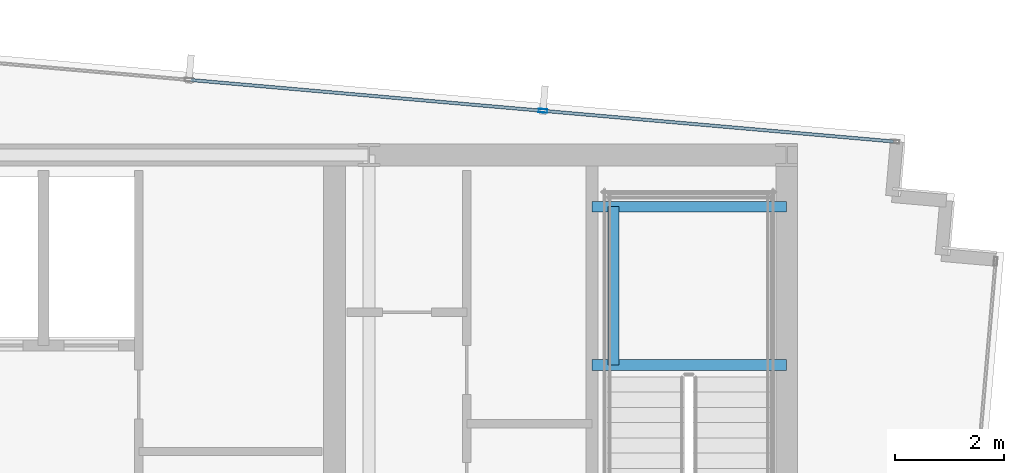
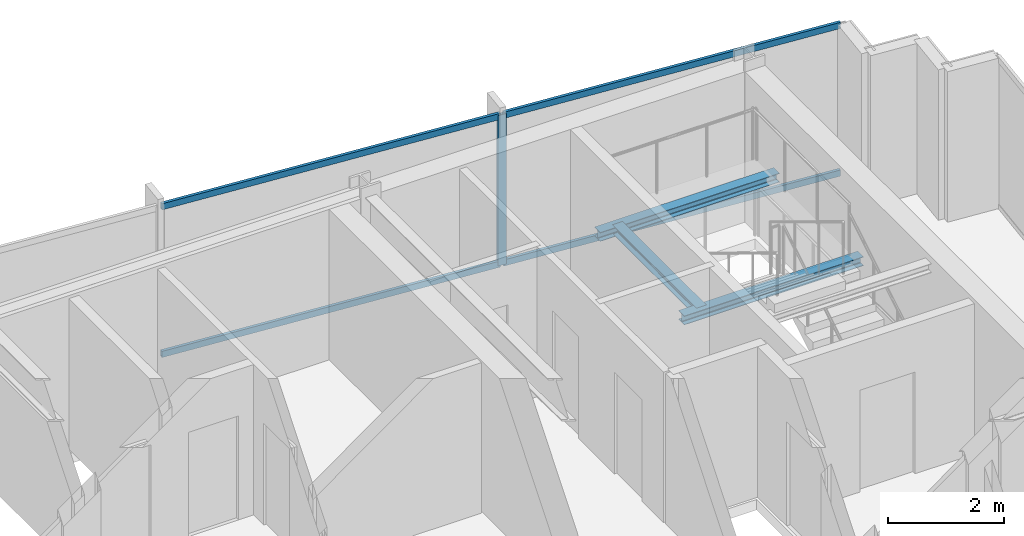
# One storey, part 20 of 33: 5 members, 3 beams, 1 element without a shape of its own.
"""IFC4 building model written with IfcOpenShell, lengths in metres."""

import ifcopenshell
import ifcopenshell.guid

model = None  # the IFC model being written
_history = None  # IfcOwnerHistory: only IFC2X3 demands one
_inside = {}  # id of a spatial element -> (the spatial element, [elements in it])
_under = {}  # id of a project, library or spatial element -> (it, [spatial elements below it])
_declared = {}  # id of a project -> (the project, [libraries it declares])
_typed = {}  # id of a type object -> (the type object, [elements of that type])
_made_of = {}  # id of a material, layer set ... -> (it, [elements and type objects made of it])


def new_model(schema):
    """Start an empty IFC model of exactly this schema.

    Asked for "IFC4X3", IfcOpenShell would pick the latest addendum, in which some entities
    have other attributes; the version numbers below select the first issue.
    IFC2X3 requires an IfcOwnerHistory on every rooted entity: one is made here for all.
    """
    global model, _history
    if schema == "IFC4X3":
        model = ifcopenshell.file(schema_version=(4, 3, 0, 0))
    else:
        model = ifcopenshell.file(schema=schema)
    _inside.clear()
    _under.clear()
    _declared.clear()
    _typed.clear()
    _made_of.clear()
    _history = None
    if model.schema == "IFC2X3":
        org = make("IfcOrganization", Name="unknown")
        user = make(
            "IfcPersonAndOrganization",
            ThePerson=make("IfcPerson", FamilyName="unknown"),
            TheOrganization=org,
        )
        app = make(
            "IfcApplication",
            ApplicationDeveloper=org,
            Version="unknown",
            ApplicationFullName="unknown",
            ApplicationIdentifier="unknown",
        )
        _history = make(
            "IfcOwnerHistory",
            OwningUser=user,
            OwningApplication=app,
            ChangeAction="ADDED",
            CreationDate=0,
        )
    return model


def make(cls, **values):
    """One entity of the class cls with the attributes given. An attribute that is None is left unset."""
    return model.create_entity(
        cls, **{name: value for name, value in values.items() if value is not None}
    )


def rooted(cls, **values):
    """An entity with a GlobalId (a new one), such as an element, a storey or a relation."""
    return make(cls, GlobalId=ifcopenshell.guid.new(), OwnerHistory=_history, **values)


def si_unit(unit_type, name, prefix=None):
    """IfcSIUnit, for example si_unit("LENGTHUNIT", "METRE", prefix="MILLI")."""
    return make("IfcSIUnit", UnitType=unit_type, Prefix=prefix, Name=name)


def assignment(units):
    """IfcUnitAssignment: the units of a project."""
    return None if units is None else make("IfcUnitAssignment", Units=units)


def point(xyz):
    """IfcCartesianPoint."""
    return None if xyz is None else make("IfcCartesianPoint", Coordinates=xyz)


def direction(xyz):
    """IfcDirection."""
    return None if xyz is None else make("IfcDirection", DirectionRatios=xyz)


def frame(location, z_axis=None, x_axis=None):
    """IfcAxis2Placement3D, a coordinate frame: its origin and axes. An axis left out is left unset."""
    return make(
        "IfcAxis2Placement3D",
        Location=point(location),
        Axis=direction(z_axis),
        RefDirection=direction(x_axis),
    )


def frame_2d(location, x_axis=None):
    """IfcAxis2Placement2D, a coordinate frame in the plane: its origin and x axis."""
    return make(
        "IfcAxis2Placement2D", Location=point(location), RefDirection=direction(x_axis)
    )


def origin():
    """The frame at (0, 0, 0) with its axes left unset."""
    return frame((0.0, 0.0, 0.0))


def origin_2d():
    """The frame at (0, 0) in the plane with its x axis left unset."""
    return frame_2d((0.0, 0.0))


def place(relative_to, where):
    """IfcLocalPlacement: puts the frame where relative to a parent placement (None: the world)."""
    return make(
        "IfcLocalPlacement", PlacementRelTo=relative_to, RelativePlacement=where
    )


def context(
    kind, dimensions, precision=None, world=None, true_north=None, identifier=None
):
    """IfcGeometricRepresentationContext, for example the 3D "Model" context."""
    return make(
        "IfcGeometricRepresentationContext",
        ContextIdentifier=identifier,
        ContextType=kind,
        CoordinateSpaceDimension=dimensions,
        Precision=precision,
        WorldCoordinateSystem=world,
        TrueNorth=true_north,
    )


def subcontext(parent, identifier, kind, view, scale=None):
    """IfcGeometricRepresentationSubContext, for example "Body" below "Model"."""
    return make(
        "IfcGeometricRepresentationSubContext",
        ContextIdentifier=identifier,
        ContextType=kind,
        ParentContext=parent,
        TargetScale=scale,
        TargetView=view,
    )


def project(units=None, contexts=None):
    """IfcProject with its units and contexts."""
    return rooted(
        "IfcProject",
        Name="project",
        RepresentationContexts=contexts,
        UnitsInContext=assignment(units),
    )


def spatial(cls, under=None, at=None, **own):
    """A site, building, storey or space (cls), placed at a placement, below another one or the project."""
    s = rooted(cls, ObjectPlacement=at, **own)
    if under is not None:
        _under.setdefault(under.id(), (under, []))[1].append(s)
    return s


def profile(cls, at=None, kind="AREA", **sizes):
    """A parametric profile (cls). Its sizes go by their IFC names, for example OverallWidth=200.0."""
    return make(cls, ProfileType=kind, Position=at, **sizes)


def hollow_rectangle(**sizes):
    """IfcRectangleHollowProfileDef."""
    return profile("IfcRectangleHollowProfileDef", **sizes)


def i_section(**sizes):
    """IfcIShapeProfileDef."""
    return profile("IfcIShapeProfileDef", **sizes)


def extrude(swept, where, along, depth):
    """IfcExtrudedAreaSolid: the profile swept, set in the frame where, extruded along a direction by depth."""
    return make(
        "IfcExtrudedAreaSolid",
        SweptArea=swept,
        Position=where,
        ExtrudedDirection=direction(along),
        Depth=depth,
    )


def shape(context_of_items, identifier, shape_type, items):
    """IfcShapeRepresentation: the items that make up one representation, for example the "Body"."""
    return make(
        "IfcShapeRepresentation",
        ContextOfItems=context_of_items,
        RepresentationIdentifier=identifier,
        RepresentationType=shape_type,
        Items=items,
    )


def material(Name=None, Category=None):
    """IfcMaterial."""
    return make("IfcMaterial", Name=Name, Category=Category)


def material_profile(
    of_material, cross_section, Name=None, Category=None, Priority=None
):
    """IfcMaterialProfile: a cross section and its material."""
    return make(
        "IfcMaterialProfile",
        Name=Name,
        Material=of_material,
        Profile=cross_section,
        Priority=Priority,
        Category=Category,
    )


def profile_set(profiles, Name=None, composite=None):
    """IfcMaterialProfileSet."""
    return make(
        "IfcMaterialProfileSet",
        Name=Name,
        MaterialProfiles=profiles,
        CompositeProfile=composite,
    )


def made_of(thing, what):
    """Note that an element or type object is made of a material, layer set ...; save() writes the relation."""
    if what is not None:
        _made_of.setdefault(what.id(), (what, []))[1].append(thing)
    return thing


def type_object(cls, material=None, **own):
    """A type object (cls), such as IfcWallType, which elements share."""
    return made_of(rooted(cls, **own), material)


def element(
    cls,
    number,
    at=None,
    inside=None,
    cuts=None,
    type_object=None,
    material=None,
    context=None,
    identifier="Body",
    shape_type=None,
    held_by="IfcProductDefinitionShape",
    body=None,
    shapes=None,
    **own,
):
    """One element of the class cls, such as IfcWall. Its Tag is "e" and its number.

    at: its placement. inside: the storey or other place that contains it. cuts: it is an
    opening in that element (IfcRelVoidsElement). A single representation is given by context,
    identifier, shape_type and body (its items); several are given by shapes. held_by: the class
    of the entity that holds the representations. save() writes the other relations.
    """
    e = rooted(cls, Tag="e%d" % number, ObjectPlacement=at, **own)
    if body is not None:
        shapes = [shape(context, identifier, shape_type, body)]
    if shapes is not None:
        e.Representation = make(held_by, Representations=shapes)
    if inside is not None:
        _inside.setdefault(inside.id(), (inside, []))[1].append(e)
    if cuts is not None:
        rooted(
            "IfcRelVoidsElement", RelatingBuildingElement=cuts, RelatedOpeningElement=e
        )
    if type_object is not None:
        _typed.setdefault(type_object.id(), (type_object, []))[1].append(e)
    return made_of(e, material)


def aggregate(whole, parts):
    """IfcRelAggregates: a whole, such as a stair, and the parts it consists of."""
    return rooted("IfcRelAggregates", RelatingObject=whole, RelatedObjects=parts)


def save(model, path):
    """Write the relations noted so far, then the file.

    IfcRelAggregates (storeys below a building ...), IfcRelContainedInSpatialStructure (elements
    in a storey), IfcRelDefinesByType, IfcRelAssociatesMaterial and IfcRelDeclares: one each for
    every whole, place, type object, material and project.
    """
    for whole, parts in _under.values():
        aggregate(whole, parts)
    for where, things in _inside.values():
        rooted(
            "IfcRelContainedInSpatialStructure",
            RelatedElements=things,
            RelatingStructure=where,
        )
    for kind, things in _typed.values():
        rooted("IfcRelDefinesByType", RelatedObjects=things, RelatingType=kind)
    for what, things in _made_of.values():
        rooted("IfcRelAssociatesMaterial", RelatedObjects=things, RelatingMaterial=what)
    for by, libraries in _declared.values():
        rooted("IfcRelDeclares", RelatingContext=by, RelatedDefinitions=libraries)
    model.write(path)


model = new_model("IFC4")

# Units and contexts
model_context = context("Model", 3, precision=1e-05, world=origin(), true_north=direction((0.0, 1.0)))
body_context = subcontext(model_context, "Body", "Model", "MODEL_VIEW")
ifc_project = project(units=[si_unit("LENGTHUNIT", "METRE"), si_unit("AREAUNIT", "SQUARE_METRE"), si_unit("VOLUMEUNIT", "CUBIC_METRE"), si_unit("PLANEANGLEUNIT", "RADIAN"), si_unit("MASSUNIT", "GRAM", prefix="KILO")], contexts=[model_context])

# Site, building, storey
site_placement = place(None, origin())
site = spatial("IfcSite", under=ifc_project, at=site_placement, CompositionType="ELEMENT")
building_placement = place(site_placement, origin())
building = spatial("IfcBuilding", under=site, at=building_placement, Name="Yelkora Congress Tower", CompositionType="ELEMENT")
storey_placement = place(building_placement, frame((0.0, 0.0, 289.699951171875)))
storey = spatial("IfcBuildingStorey", under=building, at=storey_placement, Name="L81", CompositionType="ELEMENT", Elevation=289.699951171875)

# Beams
ifc_material_1 = material(Name="Steel S355J2", Category="steel")
ifc_material_profile_1 = material_profile(ifc_material_1, i_section(OverallWidth=0.199951171875, OverallDepth=0.18994140625, WebThickness=0.006591796875, FlangeThickness=0.010009765625, FilletRadius=0.01806640625, at=origin_2d()), Name="HEA 200")
ifc_profile_set_1 = profile_set([ifc_material_profile_1], Name="Steel S355J2")
beam_type = type_object("IfcBeamType", Name="BM-LAND-HEA200", PredefinedType="BEAM", material=ifc_profile_set_1)
for number, where, z_axis, x_axis, name in (
    (1, (50.179931640625, 42.340087890625, 1.384765625), (1.0, 0.0, 0.0), (0.0, 1.0, 0.0), "ST-02 L81 Landing Header Beam 1S"),
    (2, (50.179931640625, 45.25, 1.384765625), (1.0, 0.0, 0.0), (0.0, 1.0, 0.0), "ST-02 L81 Landing Header Beam 1N"),
):
    element("IfcBeam", number, at=place(storey_placement, frame(where, z_axis=z_axis, x_axis=x_axis)), inside=storey, type_object=beam_type, Name=name, PredefinedType="BEAM", context=body_context, shape_type="SweptSolid", body=[
        extrude(i_section(OverallWidth=0.199951171875, OverallDepth=0.18994140625, WebThickness=0.006591796875, FlangeThickness=0.010009765625, FilletRadius=0.01806640625, at=origin_2d()), origin(), (0.0, 0.0, 1.0), 3.580078125),
    ])
beam_placement = place(storey_placement, frame((50.580078125, 42.340087890625, 1.384765625), z_axis=(0.0, 1.0, 0.0), x_axis=(-1.0, 0.0, 0.0)))
element("IfcBeam", 3, at=beam_placement, inside=storey, type_object=beam_type, Name="ST-02 L81 Landing Trimmer Beam 1M", PredefinedType="BEAM", context=body_context, shape_type="SweptSolid", body=[
    extrude(i_section(OverallWidth=0.199951171875, OverallDepth=0.18994140625, WebThickness=0.006591796875, FlangeThickness=0.010009765625, FilletRadius=0.01806640625, at=origin_2d()), origin(), (0.0, 0.0, 1.0), 2.909912109375),
])

# Curtain wall, members
ifc_material_2 = material(Name="Anodised aluminium and insulated glass", Category="aluminium")
curtain_wall_type = type_object("IfcCurtainWallType", Name="CW-SYS-B5", PredefinedType="NOTDEFINED", material=ifc_material_2)
curtain_wall_placement = place(storey_placement, origin())
curtain_wall = element("IfcCurtainWall", 4, at=curtain_wall_placement, inside=storey, type_object=curtain_wall_type, Name="L81 Unitised Curtain Wall 10", PredefinedType="NOTDEFINED")
ifc_material_3 = material(Name="Anodised aluminium 6063-T6", Category="aluminium")
ifc_material_profile_2 = material_profile(ifc_material_3, hollow_rectangle(XDim=0.06494140625, YDim=0.159912109375, WallThickness=0.00390625, at=origin_2d()), Name="ALU 65x160x4")
ifc_profile_set_2 = profile_set([ifc_material_profile_2], Name="Anodised aluminium 6063-T6")
member_type_1 = type_object("IfcMemberType", Name="MEM-ML-B5", PredefinedType="MULLION", material=ifc_profile_set_2)
member_1_placement = place(storey_placement, frame((49.279541015625, 47.01220703125, 0.0), z_axis=(0.0, 0.0, 1.0), x_axis=(0.087156639893, 0.996194619601, 0.0)))
member_1 = element("IfcMember", 5, at=member_1_placement, type_object=member_type_1, Name="CW-B5 mullion 7", PredefinedType="MULLION", context=body_context, shape_type="SweptSolid", body=[
    extrude(hollow_rectangle(XDim=0.06494140625, YDim=0.159912109375, WallThickness=0.00390625, at=origin_2d()), origin(), (0.0, 0.0, 1.0), 3.179931640625),
])
ifc_material_profile_3 = material_profile(ifc_material_3, hollow_rectangle(XDim=0.06005859375, YDim=0.1298828125, WallThickness=0.00390625, at=origin_2d()), Name="ALU 60x130x4")
ifc_profile_set_3 = profile_set([ifc_material_profile_3], Name="Anodised aluminium 6063-T6")
member_type_2 = type_object("IfcMemberType", Name="MEM-TR-B5", PredefinedType="USERDEFINED", material=ifc_profile_set_3)
member_2_placement = place(storey_placement, frame((42.80517578125, 47.57861328125, 0.030029296875), z_axis=(0.996196257862, -0.087137912649, 0.0), x_axis=(0.087137912649, 0.996196257862, 0.0)))
member_2 = element("IfcMember", 6, at=member_2_placement, type_object=member_type_2, Name="CW-B5 transom 6.1", ObjectType="TRANSOM", PredefinedType="USERDEFINED", context=body_context, shape_type="SweptSolid", body=[
    extrude(hollow_rectangle(XDim=0.06005859375, YDim=0.1298828125, WallThickness=0.00390625, at=origin_2d()), origin(), (0.0, 0.0, 1.0), 6.466552734375),
])
member_3_placement = place(storey_placement, frame((42.80517578125, 47.57861328125, 3.150146484375), z_axis=(0.996196257862, -0.087137912649, 0.0), x_axis=(0.087137912649, 0.996196257862, 0.0)))
member_3 = element("IfcMember", 7, at=member_3_placement, type_object=member_type_2, Name="CW-B5 transom 6.2", ObjectType="TRANSOM", PredefinedType="USERDEFINED", context=body_context, shape_type="SweptSolid", body=[
    extrude(hollow_rectangle(XDim=0.06005859375, YDim=0.1298828125, WallThickness=0.00390625, at=origin_2d()), origin(), (0.0, 0.0, 1.0), 6.466552734375),
])
member_4_placement = place(storey_placement, frame((49.311767578125, 47.009521484375, 0.030029296875), z_axis=(0.996194170551, -0.08716177236, 0.0), x_axis=(0.08716177236, 0.996194170551, 0.0)))
member_4 = element("IfcMember", 8, at=member_4_placement, type_object=member_type_2, Name="CW-B5 transom 7.1", ObjectType="TRANSOM", PredefinedType="USERDEFINED", context=body_context, shape_type="SweptSolid", body=[
    extrude(hollow_rectangle(XDim=0.06005859375, YDim=0.1298828125, WallThickness=0.00390625, at=origin_2d()), origin(), (0.0, 0.0, 1.0), 6.433837890625),
])
member_5_placement = place(storey_placement, frame((49.311767578125, 47.009521484375, 3.150146484375), z_axis=(0.996194170551, -0.08716177236, 0.0), x_axis=(0.08716177236, 0.996194170551, 0.0)))
member_5 = element("IfcMember", 9, at=member_5_placement, type_object=member_type_2, Name="CW-B5 transom 7.2", ObjectType="TRANSOM", PredefinedType="USERDEFINED", context=body_context, shape_type="SweptSolid", body=[
    extrude(hollow_rectangle(XDim=0.06005859375, YDim=0.1298828125, WallThickness=0.00390625, at=origin_2d()), origin(), (0.0, 0.0, 1.0), 6.433837890625),
])
aggregate(curtain_wall, [member_1, member_2, member_3, member_4, member_5])

save(model, "model.ifc")
